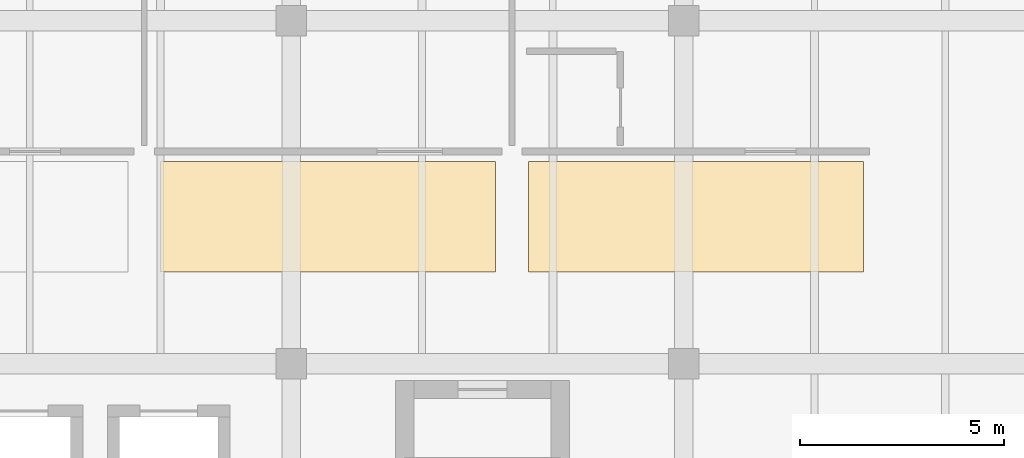
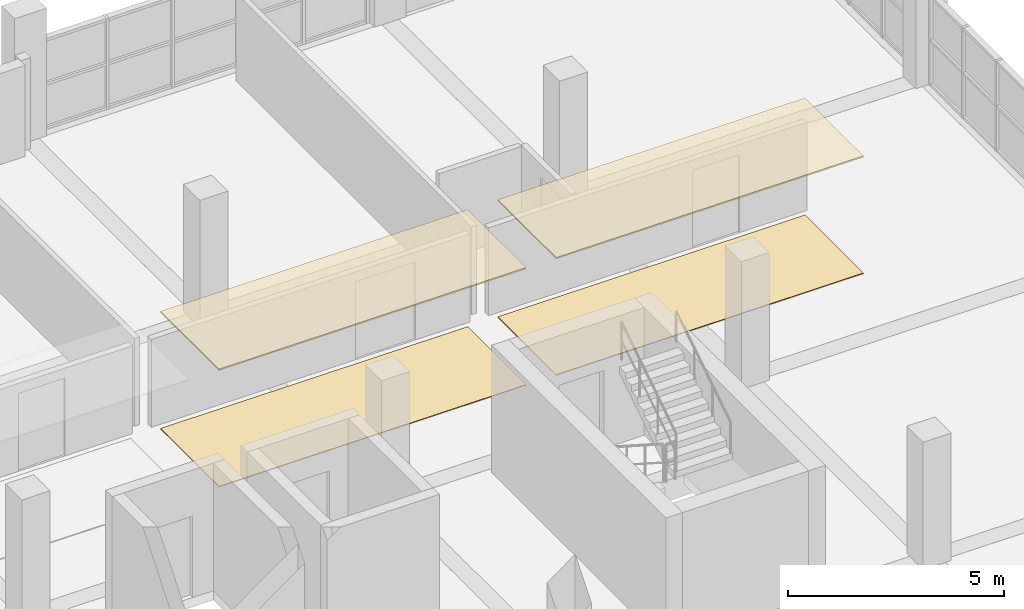
# One storey, part 147 of 147: 4 coverings.
"""IFC4 building model written with IfcOpenShell, lengths in metres."""

from ifc_helpers import new_model, si_unit, direction, frame, origin, place, context, subcontext, project, spatial, polyline, outline, extrude, material, layer, layer_set, type_object, element, save


model = new_model("IFC4")

# Units and contexts
model_context = context("Model", 3, precision=1e-05, world=origin(), true_north=direction((0.0, 1.0)))
body_context = subcontext(model_context, "Body", "Model", "MODEL_VIEW")
ifc_project = project(units=[si_unit("LENGTHUNIT", "METRE"), si_unit("AREAUNIT", "SQUARE_METRE"), si_unit("VOLUMEUNIT", "CUBIC_METRE"), si_unit("PLANEANGLEUNIT", "RADIAN"), si_unit("MASSUNIT", "GRAM", prefix="KILO")], contexts=[model_context])

# Site, building, storey
site_placement = place(None, origin())
site = spatial("IfcSite", under=ifc_project, at=site_placement, CompositionType="ELEMENT")
building_placement = place(site_placement, origin())
building = spatial("IfcBuilding", under=site, at=building_placement, Name="Oolite Switchyard Hospital", CompositionType="ELEMENT")
storey_placement = place(building_placement, frame((0.0, 0.0, 9.89990234375)))
storey = spatial("IfcBuildingStorey", under=building, at=storey_placement, Name="L02", CompositionType="ELEMENT", Elevation=9.89990234375)

# Coverings
ifc_material_1 = material(Name="Hygienic washable mineral-fibre acoustic ceiling")
ifc_layer_1 = layer(ifc_material_1, 0.0400390625)
ifc_layer_set_1 = layer_set([ifc_layer_1], Name="COV-CEIL-AC60")
covering_type_1 = type_object("IfcCoveringType", Name="COV-CEIL-AC60", PredefinedType="CEILING", material=ifc_layer_set_1)
covering_1_placement = place(storey_placement, frame((0.0, 0.0, 3.28515625)))
element("IfcCovering", 1, at=covering_1_placement, inside=storey, type_object=covering_type_1, Name="L02 East Pulmonary Ward Corridor Ceiling 7", PredefinedType="CEILING", context=body_context, shape_type="SweptSolid", body=[
    extrude(outline(polyline([(188.800048828125, 119.85009765625), (197.0, 119.85009765625), (197.0, 122.550048828125), (188.800048828125, 122.550048828125), (188.800048828125, 119.85009765625)])), origin(), (0.0, 0.0, 1.0), 0.0400390625),
])
covering_2_placement = place(storey_placement, frame((0.0, 0.0, 3.28515625)))
element("IfcCovering", 2, at=covering_2_placement, inside=storey, type_object=covering_type_1, Name="L02 East Pulmonary Ward Corridor Ceiling 8", PredefinedType="CEILING", context=body_context, shape_type="SweptSolid", body=[
    extrude(outline(polyline([(197.800048828125, 119.85009765625), (206.0, 119.85009765625), (206.0, 122.550048828125), (197.800048828125, 122.550048828125), (197.800048828125, 119.85009765625)])), origin(), (0.0, 0.0, 1.0), 0.0400390625),
])
ifc_material_2 = material(Name="Epoxy terrazzo seamless clinical flooring")
ifc_layer_2 = layer(ifc_material_2, 0.02001953125)
ifc_layer_set_2 = layer_set([ifc_layer_2], Name="COV-FLR-TER20")
covering_type_2 = type_object("IfcCoveringType", Name="COV-FLR-TER20", PredefinedType="FLOORING", material=ifc_layer_set_2)
covering_3_placement = place(storey_placement, origin())
element("IfcCovering", 3, at=covering_3_placement, inside=storey, type_object=covering_type_2, Name="L02 East Pulmonary Ward Corridor Flooring 7", PredefinedType="FLOORING", context=body_context, shape_type="SweptSolid", body=[
    extrude(outline(polyline([(188.800048828125, 119.85009765625), (197.0, 119.85009765625), (197.0, 122.550048828125), (188.800048828125, 122.550048828125), (188.800048828125, 119.85009765625)])), origin(), (0.0, 0.0, 1.0), 0.02001953125),
])
covering_4_placement = place(storey_placement, origin())
element("IfcCovering", 4, at=covering_4_placement, inside=storey, type_object=covering_type_2, Name="L02 East Pulmonary Ward Corridor Flooring 8", PredefinedType="FLOORING", context=body_context, shape_type="SweptSolid", body=[
    extrude(outline(polyline([(197.800048828125, 119.85009765625), (206.0, 119.85009765625), (206.0, 122.550048828125), (197.800048828125, 122.550048828125), (197.800048828125, 119.85009765625)])), origin(), (0.0, 0.0, 1.0), 0.02001953125),
])

save(model, "model.ifc")
